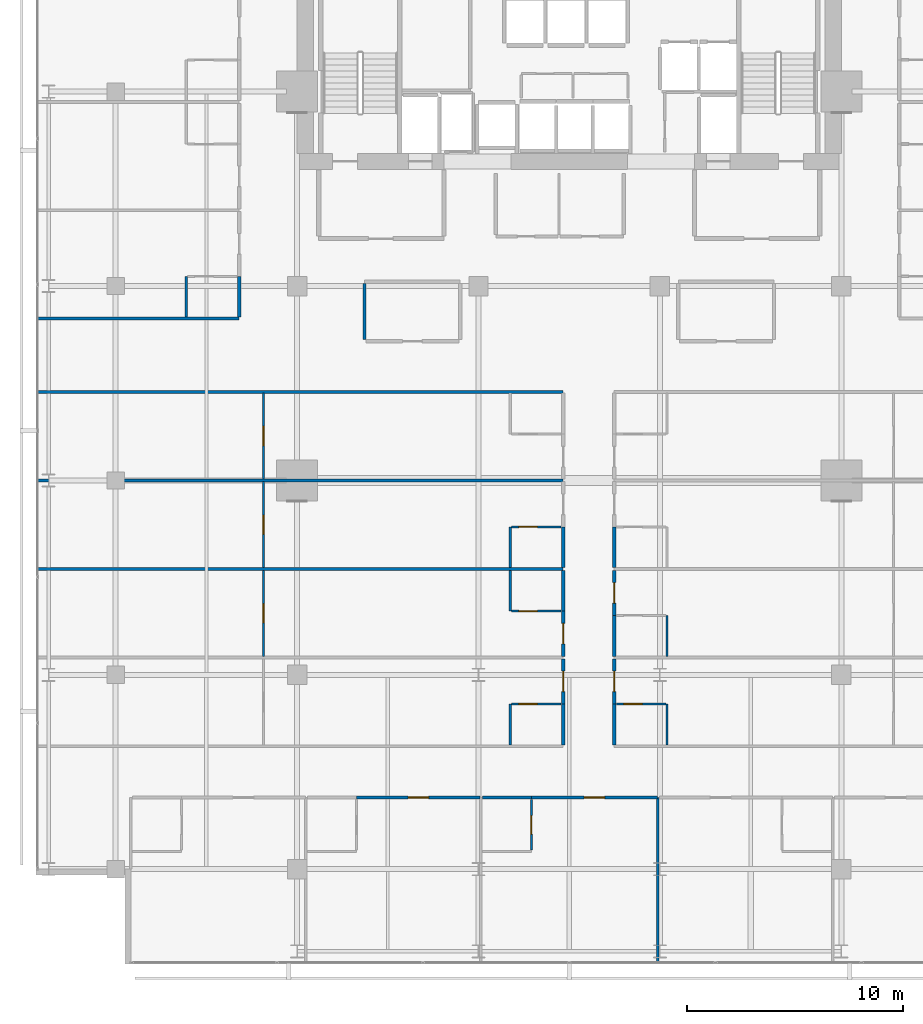
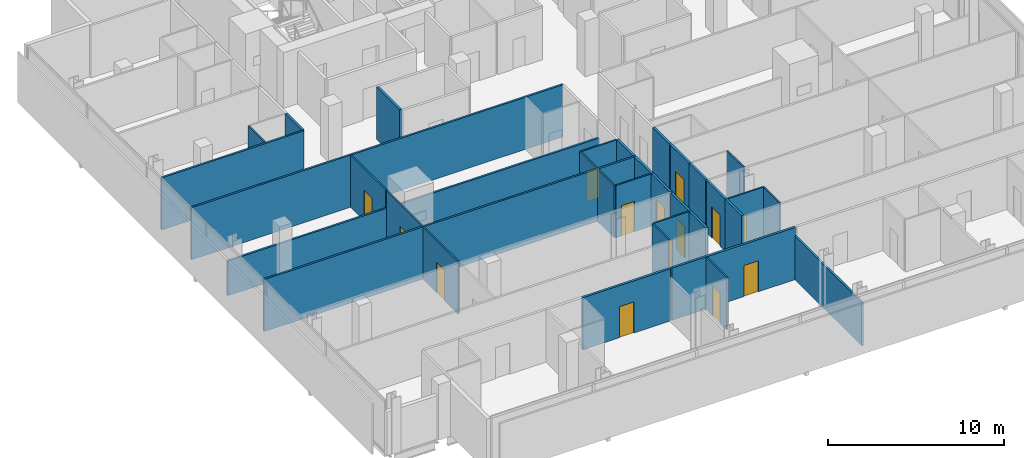
# One storey, part 27 of 34: 34 walls, 14 doors, 14 openings.
"""IFC4 building model written with IfcOpenShell, lengths in metres."""

from ifc_helpers import new_model, si_unit, direction, frame, frame_2d, origin, place, context, subcontext, project, spatial, rectangle, extrude, material, layer, layer_set, type_object, element, fill, save


model = new_model("IFC4")

# Units and contexts
model_context = context("Model", 3, precision=1e-05, world=origin(), true_north=direction((0.0, 1.0)))
body_context = subcontext(model_context, "Body", "Model", "MODEL_VIEW")
ifc_project = project(units=[si_unit("LENGTHUNIT", "METRE"), si_unit("AREAUNIT", "SQUARE_METRE"), si_unit("VOLUMEUNIT", "CUBIC_METRE"), si_unit("PLANEANGLEUNIT", "RADIAN"), si_unit("MASSUNIT", "GRAM", prefix="KILO")], contexts=[model_context])

# Site, building, storey
site_placement = place(None, origin())
site = spatial("IfcSite", under=ifc_project, at=site_placement, CompositionType="ELEMENT")
building_placement = place(site_placement, origin())
building = spatial("IfcBuilding", under=site, at=building_placement, Name="Maruvema Waterfront Hotel and Observation Tower", CompositionType="ELEMENT")
storey_placement = place(building_placement, frame((0.0, 0.0, 181.300048828125)))
storey = spatial("IfcBuildingStorey", under=building, at=storey_placement, Name="L44", CompositionType="ELEMENT", Elevation=181.300048828125)

# Wall
ifc_material_1 = material(Name="Twin-stud acoustic gypsum drywall", Category="gypsum")
ifc_layer_1 = layer(ifc_material_1, 0.14990234375, Name="Acoustic Corridor and Suite Demising Wall 150 mm")
ifc_layer_set_1 = layer_set([ifc_layer_1], Name="Twin-stud acoustic gypsum drywall")
wall_type_1 = type_object("IfcWallType", Name="Acoustic Corridor and Suite Demising Wall 150 mm", PredefinedType="PARTITIONING", material=ifc_layer_set_1)
wall_1_placement = place(storey_placement, frame((28.320068359375, 33.530029296875, 0.0), z_axis=(0.0, 0.0, 1.0), x_axis=(0.0, 1.0, 0.0)))
element("IfcWall", 1, at=wall_1_placement, inside=storey, type_object=wall_type_1, Name="L44 L44-M1 West Wall 028", PredefinedType="PARTITIONING", context=body_context, shape_type="SweptSolid", body=[
    extrude(rectangle(XDim=2.590087890625, YDim=0.14990234375, at=frame_2d((1.294921875, 0.0))), origin(), (0.0, 0.0, 1.0), 3.60986328125),
])

# Wall, opening, door
wall_2_placement = place(storey_placement, frame((27.949951171875, 12.320068359375, 0.0), z_axis=(0.0, 0.0, 1.0), x_axis=(1.0, 0.0, 0.0)))
wall_2 = element("IfcWall", 2, at=wall_2_placement, inside=storey, type_object=wall_type_1, Name="L44 Unit L44-S2 Corridor Wall 045", PredefinedType="PARTITIONING", context=body_context, shape_type="SweptSolid", body=[
    extrude(rectangle(XDim=5.72998046875, YDim=0.14990234375, at=frame_2d((2.864990234375, 0.0))), origin(), (0.0, 0.0, 1.0), 3.60986328125),
])
opening_1_placement = place(wall_2_placement, frame((2.389892578125, 0.0, 0.0)))
opening_1 = element("IfcOpeningElement", 3, at=opening_1_placement, cuts=wall_2, Name="Opening DR-095", PredefinedType="OPENING", context=body_context, shape_type="SweptSolid", body=[
    extrude(rectangle(XDim=0.949951171875, YDim=2.14990234375, at=frame_2d((0.47509765625, 1.074951171875))), frame((0.0, 0.0849609375, 0.0), z_axis=(0.0, -1.0, 0.0), x_axis=(1.0, 0.0, 0.0)), (0.0, 0.0, 1.0), 0.169921875),
])
ifc_material_2 = material(Name="Acoustic solid-core hardwood timber leaf", Category="wood")
door_type_1 = type_object("IfcDoorType", Name="Guestroom Entrance Fire Door 950x2150 mm", OperationType="NOTDEFINED", PredefinedType="DOOR", material=ifc_material_2)
door_1_placement = place(opening_1_placement, frame((0.949951171875, 0.0, 0.0), z_axis=(0.0, 0.0, 1.0), x_axis=(-1.0, 0.0, 0.0)))
door_1 = element("IfcDoor", 4, at=door_1_placement, inside=storey, type_object=door_type_1, Name="L44 Unit L44-S2 Entrance Door", OperationType="SINGLE_SWING_LEFT", OverallHeight=2.14990234375, OverallWidth=0.949951171875, PredefinedType="DOOR", context=body_context, shape_type="SweptSolid", body=[
    extrude(rectangle(XDim=0.949951171875, YDim=2.14990234375, at=frame_2d((0.47509765625, 1.074951171875))), frame((0.0, 0.02490234375, 0.0), z_axis=(0.0, -1.0, 0.0), x_axis=(1.0, 0.0, 0.0)), (0.0, 0.0, 1.0), 0.050048828125),
])
fill(opening_1, door_1)

# Wall
wall_3_placement = place(storey_placement, frame((33.780029296875, 12.320068359375, 0.0), z_axis=(0.0, 0.0, 1.0), x_axis=(1.0, 0.0, 0.0)))
element("IfcWall", 5, at=wall_3_placement, inside=storey, type_object=wall_type_1, Name="L44 Bath L44-S3 Back Wall 047", PredefinedType="PARTITIONING", context=body_context, shape_type="SweptSolid", body=[
    extrude(rectangle(XDim=2.27001953125, YDim=0.14990234375, at=frame_2d((1.135009765625, 0.0))), origin(), (0.0, 0.0, 1.0), 3.60986328125),
])

# Wall, opening, door
wall_4_placement = place(storey_placement, frame((36.050048828125, 12.320068359375, 0.0), z_axis=(0.0, 0.0, 1.0), x_axis=(1.0, 0.0, 0.0)))
wall_4 = element("IfcWall", 6, at=wall_4_placement, inside=storey, type_object=wall_type_1, Name="L44 Unit L44-S3 Corridor Wall 050", PredefinedType="PARTITIONING", context=body_context, shape_type="SweptSolid", body=[
    extrude(rectangle(XDim=5.829833984375, YDim=0.14990234375, at=frame_2d((2.9150390625, 0.0))), origin(), (0.0, 0.0, 1.0), 3.60986328125),
])
opening_2_placement = place(wall_4_placement, frame((2.43994140625, 0.0, 0.0)))
opening_2 = element("IfcOpeningElement", 7, at=opening_2_placement, cuts=wall_4, Name="Opening DR-095", PredefinedType="OPENING", context=body_context, shape_type="SweptSolid", body=[
    extrude(rectangle(XDim=0.949951171875, YDim=2.14990234375, at=frame_2d((0.47509765625, 1.074951171875))), frame((0.0, 0.0849609375, 0.0), z_axis=(0.0, -1.0, 0.0), x_axis=(1.0, 0.0, 0.0)), (0.0, 0.0, 1.0), 0.169921875),
])
door_2_placement = place(opening_2_placement, frame((0.949951171875, 0.0, 0.0), z_axis=(0.0, 0.0, 1.0), x_axis=(-1.0, 0.0, 0.0)))
door_2 = element("IfcDoor", 8, at=door_2_placement, inside=storey, type_object=door_type_1, Name="L44 Unit L44-S3 Entrance Door", OperationType="SINGLE_SWING_LEFT", OverallHeight=2.14990234375, OverallWidth=0.949951171875, PredefinedType="DOOR", context=body_context, shape_type="SweptSolid", body=[
    extrude(rectangle(XDim=0.949951171875, YDim=2.14990234375, at=frame_2d((0.47509765625, 1.074951171875))), frame((0.0, 0.02490234375, 0.0), z_axis=(0.0, -1.0, 0.0), x_axis=(1.0, 0.0, 0.0)), (0.0, 0.0, 1.0), 0.050048828125),
])
fill(opening_2, door_2)

# Wall
wall_5_placement = place(storey_placement, frame((37.52001953125, 14.760009765625, 0.0), z_axis=(0.0, 0.0, 1.0), x_axis=(0.0, 1.0, 0.0)))
element("IfcWall", 9, at=wall_5_placement, inside=storey, type_object=wall_type_1, Name="L44 Bath L44-W1 Wall 065", PredefinedType="PARTITIONING", context=body_context, shape_type="SweptSolid", body=[
    extrude(rectangle(XDim=1.889892578125, YDim=0.14990234375, at=frame_2d((0.94482421875, 0.0))), origin(), (0.0, 0.0, 1.0), 3.60986328125),
])

# Wall, opening, door
wall_6_placement = place(storey_placement, frame((37.52001953125, 16.64990234375, 0.0), z_axis=(0.0, 0.0, 1.0), x_axis=(0.0, 1.0, 0.0)))
wall_6 = element("IfcWall", 10, at=wall_6_placement, inside=storey, type_object=wall_type_1, Name="L44 Room L44-W1 Corridor Wall 066", PredefinedType="PARTITIONING", context=body_context, shape_type="SweptSolid", body=[
    extrude(rectangle(XDim=2.090087890625, YDim=0.14990234375, at=frame_2d((1.044921875, 0.0))), origin(), (0.0, 0.0, 1.0), 3.60986328125),
])
opening_3_placement = place(wall_6_placement, frame((0.570068359375, 0.0, 0.0)))
opening_3 = element("IfcOpeningElement", 11, at=opening_3_placement, cuts=wall_6, Name="Opening DR-095", PredefinedType="OPENING", context=body_context, shape_type="SweptSolid", body=[
    extrude(rectangle(XDim=0.949951171875, YDim=2.14990234375, at=frame_2d((0.47509765625, 1.074951171875))), frame((0.0, 0.0849609375, 0.0), z_axis=(0.0, -1.0, 0.0), x_axis=(1.0, 0.0, 0.0)), (0.0, 0.0, 1.0), 0.169921875),
])
door_3_placement = place(opening_3_placement, origin())
door_3 = element("IfcDoor", 12, at=door_3_placement, inside=storey, type_object=door_type_1, Name="L44 Room L44-W1 Entrance Door", OperationType="SINGLE_SWING_LEFT", OverallHeight=2.14990234375, OverallWidth=0.949951171875, PredefinedType="DOOR", context=body_context, shape_type="SweptSolid", body=[
    extrude(rectangle(XDim=0.949951171875, YDim=2.14990234375, at=frame_2d((0.47509765625, 1.074951171875))), frame((0.0, 0.02490234375, 0.0), z_axis=(0.0, -1.0, 0.0), x_axis=(1.0, 0.0, 0.0)), (0.0, 0.0, 1.0), 0.050048828125),
])
fill(opening_3, door_3)

# Wall
wall_7_placement = place(storey_placement, frame((39.8798828125, 14.760009765625, 0.0), z_axis=(0.0, 0.0, 1.0), x_axis=(0.0, 1.0, 0.0)))
element("IfcWall", 13, at=wall_7_placement, inside=storey, type_object=wall_type_1, Name="L44 Bath L44-E1 Wall 070", PredefinedType="PARTITIONING", context=body_context, shape_type="SweptSolid", body=[
    extrude(rectangle(XDim=1.889892578125, YDim=0.14990234375, at=frame_2d((0.94482421875, 0.0))), origin(), (0.0, 0.0, 1.0), 3.60986328125),
])

# Wall, opening, door
wall_8_placement = place(storey_placement, frame((39.8798828125, 16.64990234375, 0.0), z_axis=(0.0, 0.0, 1.0), x_axis=(0.0, 1.0, 0.0)))
wall_8 = element("IfcWall", 14, at=wall_8_placement, inside=storey, type_object=wall_type_1, Name="L44 Room L44-E1 Corridor Wall 071", PredefinedType="PARTITIONING", context=body_context, shape_type="SweptSolid", body=[
    extrude(rectangle(XDim=2.090087890625, YDim=0.14990234375, at=frame_2d((1.044921875, 0.0))), origin(), (0.0, 0.0, 1.0), 3.60986328125),
])
opening_4_placement = place(wall_8_placement, frame((0.570068359375, 0.0, 0.0)))
opening_4 = element("IfcOpeningElement", 15, at=opening_4_placement, cuts=wall_8, Name="Opening DR-095", PredefinedType="OPENING", context=body_context, shape_type="SweptSolid", body=[
    extrude(rectangle(XDim=0.949951171875, YDim=2.14990234375, at=frame_2d((0.47509765625, 1.074951171875))), frame((0.0, 0.0849609375, 0.0), z_axis=(0.0, -1.0, 0.0), x_axis=(1.0, 0.0, 0.0)), (0.0, 0.0, 1.0), 0.169921875),
])
door_4_placement = place(opening_4_placement, frame((0.949951171875, 0.0, 0.0), z_axis=(0.0, 0.0, 1.0), x_axis=(-1.0, 0.0, 0.0)))
door_4 = element("IfcDoor", 16, at=door_4_placement, inside=storey, type_object=door_type_1, Name="L44 Room L44-E1 Entrance Door", OperationType="SINGLE_SWING_RIGHT", OverallHeight=2.14990234375, OverallWidth=0.949951171875, PredefinedType="DOOR", context=body_context, shape_type="SweptSolid", body=[
    extrude(rectangle(XDim=0.949951171875, YDim=2.14990234375, at=frame_2d((0.47509765625, 1.074951171875))), frame((0.0, 0.02490234375, 0.0), z_axis=(0.0, -1.0, 0.0), x_axis=(1.0, 0.0, 0.0)), (0.0, 0.0, 1.0), 0.050048828125),
])
fill(opening_4, door_4)

wall_9_placement = place(storey_placement, frame((37.52001953125, 18.860107421875, 0.0), z_axis=(0.0, 0.0, 1.0), x_axis=(0.0, 1.0, 0.0)))
wall_9 = element("IfcWall", 17, at=wall_9_placement, inside=storey, type_object=wall_type_1, Name="L44 Room L44-W2 Corridor Wall 077", PredefinedType="PARTITIONING", context=body_context, shape_type="SweptSolid", body=[
    extrude(rectangle(XDim=2.08984375, YDim=0.14990234375, at=frame_2d((1.044921875, 0.0))), origin(), (0.0, 0.0, 1.0), 3.60986328125),
])
opening_5_placement = place(wall_9_placement, frame((0.570068359375, 0.0, 0.0)))
opening_5 = element("IfcOpeningElement", 18, at=opening_5_placement, cuts=wall_9, Name="Opening DR-095", PredefinedType="OPENING", context=body_context, shape_type="SweptSolid", body=[
    extrude(rectangle(XDim=0.949951171875, YDim=2.14990234375, at=frame_2d((0.47509765625, 1.074951171875))), frame((0.0, 0.0849609375, 0.0), z_axis=(0.0, -1.0, 0.0), x_axis=(1.0, 0.0, 0.0)), (0.0, 0.0, 1.0), 0.169921875),
])
door_5_placement = place(opening_5_placement, origin())
door_5 = element("IfcDoor", 19, at=door_5_placement, inside=storey, type_object=door_type_1, Name="L44 Room L44-W2 Entrance Door", OperationType="SINGLE_SWING_LEFT", OverallHeight=2.14990234375, OverallWidth=0.949951171875, PredefinedType="DOOR", context=body_context, shape_type="SweptSolid", body=[
    extrude(rectangle(XDim=0.949951171875, YDim=2.14990234375, at=frame_2d((0.47509765625, 1.074951171875))), frame((0.0, 0.02490234375, 0.0), z_axis=(0.0, -1.0, 0.0), x_axis=(1.0, 0.0, 0.0)), (0.0, 0.0, 1.0), 0.050048828125),
])
fill(opening_5, door_5)

# Walls
wall_10_placement = place(storey_placement, frame((37.52001953125, 20.949951171875, 0.0), z_axis=(0.0, 0.0, 1.0), x_axis=(0.0, 1.0, 0.0)))
element("IfcWall", 20, at=wall_10_placement, inside=storey, type_object=wall_type_1, Name="L44 Bath L44-W2 Wall 078", PredefinedType="PARTITIONING", context=body_context, shape_type="SweptSolid", body=[
    extrude(rectangle(XDim=1.89013671875, YDim=0.14990234375, at=frame_2d((0.945068359375, 0.0))), origin(), (0.0, 0.0, 1.0), 3.60986328125),
])
wall_11_placement = place(storey_placement, frame((39.8798828125, 18.860107421875, 0.0), z_axis=(0.0, 0.0, 1.0), x_axis=(0.0, 1.0, 0.0)))
element("IfcWall", 21, at=wall_11_placement, inside=storey, type_object=wall_type_1, Name="L44 Bath L44-E2 Wall 082", PredefinedType="PARTITIONING", context=body_context, shape_type="SweptSolid", body=[
    extrude(rectangle(XDim=1.889892578125, YDim=0.14990234375, at=frame_2d((0.94482421875, 0.0))), origin(), (0.0, 0.0, 1.0), 3.60986328125),
])

# Wall, opening, door
wall_12_placement = place(storey_placement, frame((39.8798828125, 20.75, 0.0), z_axis=(0.0, 0.0, 1.0), x_axis=(0.0, 1.0, 0.0)))
wall_12 = element("IfcWall", 22, at=wall_12_placement, inside=storey, type_object=wall_type_1, Name="L44 Room L44-E2 Corridor Wall 083", PredefinedType="PARTITIONING", context=body_context, shape_type="SweptSolid", body=[
    extrude(rectangle(XDim=2.090087890625, YDim=0.14990234375, at=frame_2d((1.044921875, 0.0))), origin(), (0.0, 0.0, 1.0), 3.60986328125),
])
opening_6_placement = place(wall_12_placement, frame((0.570068359375, 0.0, 0.0)))
opening_6 = element("IfcOpeningElement", 23, at=opening_6_placement, cuts=wall_12, Name="Opening DR-095", PredefinedType="OPENING", context=body_context, shape_type="SweptSolid", body=[
    extrude(rectangle(XDim=0.949951171875, YDim=2.14990234375, at=frame_2d((0.47509765625, 1.074951171875))), frame((0.0, 0.0849609375, 0.0), z_axis=(0.0, -1.0, 0.0), x_axis=(1.0, 0.0, 0.0)), (0.0, 0.0, 1.0), 0.169921875),
])
door_6_placement = place(opening_6_placement, frame((0.949951171875, 0.0, 0.0), z_axis=(0.0, 0.0, 1.0), x_axis=(-1.0, 0.0, 0.0)))
door_6 = element("IfcDoor", 24, at=door_6_placement, inside=storey, type_object=door_type_1, Name="L44 Room L44-E2 Entrance Door", OperationType="SINGLE_SWING_RIGHT", OverallHeight=2.14990234375, OverallWidth=0.949951171875, PredefinedType="DOOR", context=body_context, shape_type="SweptSolid", body=[
    extrude(rectangle(XDim=0.949951171875, YDim=2.14990234375, at=frame_2d((0.47509765625, 1.074951171875))), frame((0.0, 0.02490234375, 0.0), z_axis=(0.0, -1.0, 0.0), x_axis=(1.0, 0.0, 0.0)), (0.0, 0.0, 1.0), 0.050048828125),
])
fill(opening_6, door_6)

# Walls
for number, where, z_axis, x_axis, name in (
    (25, (37.52001953125, 22.9599609375, 0.0), (0.0, 0.0, 1.0), (0.0, 1.0, 0.0), "L44 Bath L44-W3 Wall 089"),
    (26, (39.8798828125, 22.9599609375, 0.0), (0.0, 0.0, 1.0), (0.0, 1.0, 0.0), "L44 Bath L44-E3 Wall 094"),
):
    element("IfcWall", number, at=place(storey_placement, frame(where, z_axis=z_axis, x_axis=x_axis)), inside=storey, type_object=wall_type_1, Name=name, PredefinedType="PARTITIONING", context=body_context, shape_type="SweptSolid", body=[
        extrude(rectangle(XDim=1.89013671875, YDim=0.14990234375, at=frame_2d((0.945068359375, 0.0))), origin(), (0.0, 0.0, 1.0), 3.60986328125),
    ])
wall_13_placement = place(storey_placement, frame((22.52001953125, 34.56005859375, 0.0), z_axis=(0.0, 0.0, 1.0), x_axis=(0.0, 1.0, 0.0)))
element("IfcWall", 27, at=wall_13_placement, inside=storey, type_object=wall_type_1, Name="L44 Bath L44-NW1 Wall 115", PredefinedType="PARTITIONING", context=body_context, shape_type="SweptSolid", body=[
    extrude(rectangle(XDim=1.889892578125, YDim=0.14990234375, at=frame_2d((0.94482421875, 0.0))), origin(), (0.0, 0.0, 1.0), 3.60986328125),
])

# Wall, opening, door
ifc_material_3 = material(Name="Moisture-resistant cement-board drywall", Category="gypsum")
ifc_layer_2 = layer(ifc_material_3, 0.10009765625, Name="En-Suite Moisture-Resistant Partition 100 mm")
ifc_layer_set_2 = layer_set([ifc_layer_2], Name="Moisture-resistant cement-board drywall")
wall_type_2 = type_object("IfcWallType", Name="En-Suite Moisture-Resistant Partition 100 mm", PredefinedType="PARTITIONING", material=ifc_layer_set_2)
wall_14_placement = place(storey_placement, frame((36.050048828125, 9.8798828125, 0.0), z_axis=(0.0, 0.0, 1.0), x_axis=(0.0, 1.0, 0.0)))
wall_14 = element("IfcWall", 28, at=wall_14_placement, inside=storey, type_object=wall_type_2, Name="L44 En-Suite L44-S3 East 049", PredefinedType="PARTITIONING", context=body_context, shape_type="SweptSolid", body=[
    extrude(rectangle(XDim=2.340087890625, YDim=0.10009765625, at=frame_2d((1.169921875, 0.0))), origin(), (0.0, 0.0, 1.0), 3.60986328125),
])
opening_7_placement = place(wall_14_placement, frame((0.7451171875, 0.0, 0.0)))
opening_7 = element("IfcOpeningElement", 29, at=opening_7_placement, cuts=wall_14, Name="Opening DR-085", PredefinedType="OPENING", context=body_context, shape_type="SweptSolid", body=[
    extrude(rectangle(XDim=0.85009765625, YDim=2.10009765625, at=frame_2d((0.425048828125, 1.050048828125))), frame((0.0, 0.06005859375, 0.0), z_axis=(0.0, -1.0, 0.0), x_axis=(1.0, 0.0, 0.0)), (0.0, 0.0, 1.0), 0.1201171875),
])
ifc_material_4 = material(Name="Moisture-resistant solid timber leaf", Category="wood")
door_type_2 = type_object("IfcDoorType", Name="En-Suite Bathroom Door 850x2100 mm", OperationType="NOTDEFINED", PredefinedType="DOOR", material=ifc_material_4)
door_7_placement = place(opening_7_placement, frame((0.85009765625, 0.0, 0.0), z_axis=(0.0, 0.0, 1.0), x_axis=(-1.0, 0.0, 0.0)))
door_7 = element("IfcDoor", 30, at=door_7_placement, inside=storey, type_object=door_type_2, Name="L44 En-Suite L44-S3 Door", OperationType="SINGLE_SWING_RIGHT", OverallHeight=2.10009765625, OverallWidth=0.85009765625, PredefinedType="DOOR", context=body_context, shape_type="SweptSolid", body=[
    extrude(rectangle(XDim=0.85009765625, YDim=2.10009765625, at=frame_2d((0.425048828125, 1.050048828125))), frame((0.0, 0.02490234375, 0.0), z_axis=(0.0, -1.0, 0.0), x_axis=(1.0, 0.0, 0.0)), (0.0, 0.0, 1.0), 0.050048828125),
])
fill(opening_7, door_7)

# Wall
wall_15_placement = place(storey_placement, frame((35.070068359375, 14.760009765625, 0.0), z_axis=(0.0, 0.0, 1.0), x_axis=(0.0, 1.0, 0.0)))
element("IfcWall", 31, at=wall_15_placement, inside=storey, type_object=wall_type_2, Name="L44 En-Suite L44-W1 W 067", PredefinedType="PARTITIONING", context=body_context, shape_type="SweptSolid", body=[
    extrude(rectangle(XDim=1.889892578125, YDim=0.10009765625, at=frame_2d((0.94482421875, 0.0))), origin(), (0.0, 0.0, 1.0), 3.60986328125),
])

# Wall, opening, door
wall_16_placement = place(storey_placement, frame((35.1201171875, 16.64990234375, 0.0), z_axis=(0.0, 0.0, 1.0), x_axis=(1.0, 0.0, 0.0)))
wall_16 = element("IfcWall", 32, at=wall_16_placement, inside=storey, type_object=wall_type_2, Name="L44 En-Suite L44-W1 N 068", PredefinedType="PARTITIONING", context=body_context, shape_type="SweptSolid", body=[
    extrude(rectangle(XDim=2.2998046875, YDim=0.10009765625, at=frame_2d((1.14990234375, 0.0))), origin(), (0.0, 0.0, 1.0), 3.60986328125),
])
opening_8_placement = place(wall_16_placement, frame((0.35009765625, 0.0, 0.0)))
opening_8 = element("IfcOpeningElement", 33, at=opening_8_placement, cuts=wall_16, Name="Opening DR-085", PredefinedType="OPENING", context=body_context, shape_type="SweptSolid", body=[
    extrude(rectangle(XDim=0.85009765625, YDim=2.10009765625, at=frame_2d((0.425048828125, 1.050048828125))), frame((0.0, 0.06005859375, 0.0), z_axis=(0.0, -1.0, 0.0), x_axis=(1.0, 0.0, 0.0)), (0.0, 0.0, 1.0), 0.1201171875),
])
door_8_placement = place(opening_8_placement, origin())
door_8 = element("IfcDoor", 34, at=door_8_placement, inside=storey, type_object=door_type_2, Name="L44 En-Suite L44-W1 Door", OperationType="SINGLE_SWING_RIGHT", OverallHeight=2.10009765625, OverallWidth=0.85009765625, PredefinedType="DOOR", context=body_context, shape_type="SweptSolid", body=[
    extrude(rectangle(XDim=0.85009765625, YDim=2.10009765625, at=frame_2d((0.425048828125, 1.050048828125))), frame((0.0, 0.02490234375, 0.0), z_axis=(0.0, -1.0, 0.0), x_axis=(1.0, 0.0, 0.0)), (0.0, 0.0, 1.0), 0.050048828125),
])
fill(opening_8, door_8)

# Wall
wall_17_placement = place(storey_placement, frame((42.330078125, 14.760009765625, 0.0), z_axis=(0.0, 0.0, 1.0), x_axis=(0.0, 1.0, 0.0)))
element("IfcWall", 35, at=wall_17_placement, inside=storey, type_object=wall_type_2, Name="L44 En-Suite L44-E1 E 072", PredefinedType="PARTITIONING", context=body_context, shape_type="SweptSolid", body=[
    extrude(rectangle(XDim=1.889892578125, YDim=0.10009765625, at=frame_2d((0.94482421875, 0.0))), origin(), (0.0, 0.0, 1.0), 3.60986328125),
])

# Wall, opening, door
wall_18_placement = place(storey_placement, frame((39.97998046875, 16.64990234375, 0.0), z_axis=(0.0, 0.0, 1.0), x_axis=(1.0, 0.0, 0.0)))
wall_18 = element("IfcWall", 36, at=wall_18_placement, inside=storey, type_object=wall_type_2, Name="L44 En-Suite L44-E1 N 073", PredefinedType="PARTITIONING", context=body_context, shape_type="SweptSolid", body=[
    extrude(rectangle(XDim=2.300048828125, YDim=0.10009765625, at=frame_2d((1.14990234375, 0.0))), origin(), (0.0, 0.0, 1.0), 3.60986328125),
])
opening_9_placement = place(wall_18_placement, frame((0.35009765625, 0.0, 0.0)))
opening_9 = element("IfcOpeningElement", 37, at=opening_9_placement, cuts=wall_18, Name="Opening DR-085", PredefinedType="OPENING", context=body_context, shape_type="SweptSolid", body=[
    extrude(rectangle(XDim=0.85009765625, YDim=2.10009765625, at=frame_2d((0.425048828125, 1.050048828125))), frame((0.0, 0.06005859375, 0.0), z_axis=(0.0, -1.0, 0.0), x_axis=(1.0, 0.0, 0.0)), (0.0, 0.0, 1.0), 0.1201171875),
])
door_9_placement = place(opening_9_placement, origin())
door_9 = element("IfcDoor", 38, at=door_9_placement, inside=storey, type_object=door_type_2, Name="L44 En-Suite L44-E1 Door", OperationType="SINGLE_SWING_LEFT", OverallHeight=2.10009765625, OverallWidth=0.85009765625, PredefinedType="DOOR", context=body_context, shape_type="SweptSolid", body=[
    extrude(rectangle(XDim=0.85009765625, YDim=2.10009765625, at=frame_2d((0.425048828125, 1.050048828125))), frame((0.0, 0.02490234375, 0.0), z_axis=(0.0, -1.0, 0.0), x_axis=(1.0, 0.0, 0.0)), (0.0, 0.0, 1.0), 0.050048828125),
])
fill(opening_9, door_9)

# Wall
wall_19_placement = place(storey_placement, frame((35.070068359375, 20.949951171875, 0.0), z_axis=(0.0, 0.0, 1.0), x_axis=(0.0, 1.0, 0.0)))
element("IfcWall", 39, at=wall_19_placement, inside=storey, type_object=wall_type_2, Name="L44 En-Suite L44-W2 W 079", PredefinedType="PARTITIONING", context=body_context, shape_type="SweptSolid", body=[
    extrude(rectangle(XDim=1.89013671875, YDim=0.10009765625, at=frame_2d((0.945068359375, 0.0))), origin(), (0.0, 0.0, 1.0), 3.60986328125),
])

# Wall, opening, door
wall_20_placement = place(storey_placement, frame((35.1201171875, 20.949951171875, 0.0), z_axis=(0.0, 0.0, 1.0), x_axis=(1.0, 0.0, 0.0)))
wall_20 = element("IfcWall", 40, at=wall_20_placement, inside=storey, type_object=wall_type_2, Name="L44 En-Suite L44-W2 S 080", PredefinedType="PARTITIONING", context=body_context, shape_type="SweptSolid", body=[
    extrude(rectangle(XDim=2.2998046875, YDim=0.10009765625, at=frame_2d((1.14990234375, 0.0))), origin(), (0.0, 0.0, 1.0), 3.60986328125),
])
opening_10_placement = place(wall_20_placement, frame((0.35009765625, 0.0, 0.0)))
opening_10 = element("IfcOpeningElement", 41, at=opening_10_placement, cuts=wall_20, Name="Opening DR-085", PredefinedType="OPENING", context=body_context, shape_type="SweptSolid", body=[
    extrude(rectangle(XDim=0.85009765625, YDim=2.10009765625, at=frame_2d((0.425048828125, 1.050048828125))), frame((0.0, 0.06005859375, 0.0), z_axis=(0.0, -1.0, 0.0), x_axis=(1.0, 0.0, 0.0)), (0.0, 0.0, 1.0), 0.1201171875),
])
door_10_placement = place(opening_10_placement, frame((0.85009765625, 0.0, 0.0), z_axis=(0.0, 0.0, 1.0), x_axis=(-1.0, 0.0, 0.0)))
door_10 = element("IfcDoor", 42, at=door_10_placement, inside=storey, type_object=door_type_2, Name="L44 En-Suite L44-W2 Door", OperationType="SINGLE_SWING_RIGHT", OverallHeight=2.10009765625, OverallWidth=0.85009765625, PredefinedType="DOOR", context=body_context, shape_type="SweptSolid", body=[
    extrude(rectangle(XDim=0.85009765625, YDim=2.10009765625, at=frame_2d((0.425048828125, 1.050048828125))), frame((0.0, 0.02490234375, 0.0), z_axis=(0.0, -1.0, 0.0), x_axis=(1.0, 0.0, 0.0)), (0.0, 0.0, 1.0), 0.050048828125),
])
fill(opening_10, door_10)

wall_21_placement = place(storey_placement, frame((23.6455078125, 18.860107421875, 0.0), z_axis=(0.0, 0.0, 1.0), x_axis=(0.0, 1.0, 0.0)))
wall_21 = element("IfcWall", 43, at=wall_21_placement, inside=storey, type_object=wall_type_2, Name="L44 Suite L44-W2 Split 081", PredefinedType="PARTITIONING", context=body_context, shape_type="SweptSolid", body=[
    extrude(rectangle(XDim=3.97998046875, YDim=0.10009765625, at=frame_2d((1.989990234375, 0.0))), origin(), (0.0, 0.0, 1.0), 3.60986328125),
])
opening_11_placement = place(wall_21_placement, frame((1.5400390625, 0.0, 0.0)))
opening_11 = element("IfcOpeningElement", 44, at=opening_11_placement, cuts=wall_21, Name="Opening DR-090", PredefinedType="OPENING", context=body_context, shape_type="SweptSolid", body=[
    extrude(rectangle(XDim=0.89990234375, YDim=2.10009765625, at=frame_2d((0.449951171875, 1.050048828125))), frame((0.0, 0.06005859375, 0.0), z_axis=(0.0, -1.0, 0.0), x_axis=(1.0, 0.0, 0.0)), (0.0, 0.0, 1.0), 0.1201171875),
])
ifc_material_5 = material(Name="Solid-core lacquered timber leaf", Category="wood")
door_type_3 = type_object("IfcDoorType", Name="Accessible Toilet and Room Door 900x2100 mm", OperationType="NOTDEFINED", PredefinedType="DOOR", material=ifc_material_5)
door_11_placement = place(opening_11_placement, origin())
door_11 = element("IfcDoor", 45, at=door_11_placement, inside=storey, type_object=door_type_3, Name="L44 Suite L44-W2 Bedroom Door", OperationType="SINGLE_SWING_RIGHT", OverallHeight=2.10009765625, OverallWidth=0.89990234375, PredefinedType="DOOR", context=body_context, shape_type="SweptSolid", body=[
    extrude(rectangle(XDim=0.89990234375, YDim=2.10009765625, at=frame_2d((0.449951171875, 1.050048828125))), frame((0.0, 0.02490234375, 0.0), z_axis=(0.0, -1.0, 0.0), x_axis=(1.0, 0.0, 0.0)), (0.0, 0.0, 1.0), 0.050048828125),
])
fill(opening_11, door_11)

# Walls
wall_22_placement = place(storey_placement, frame((42.330078125, 18.860107421875, 0.0), z_axis=(0.0, 0.0, 1.0), x_axis=(0.0, 1.0, 0.0)))
element("IfcWall", 46, at=wall_22_placement, inside=storey, type_object=wall_type_2, Name="L44 En-Suite L44-E2 E 084", PredefinedType="PARTITIONING", context=body_context, shape_type="SweptSolid", body=[
    extrude(rectangle(XDim=1.889892578125, YDim=0.10009765625, at=frame_2d((0.94482421875, 0.0))), origin(), (0.0, 0.0, 1.0), 3.60986328125),
])
wall_23_placement = place(storey_placement, frame((35.070068359375, 22.9599609375, 0.0), z_axis=(0.0, 0.0, 1.0), x_axis=(0.0, 1.0, 0.0)))
element("IfcWall", 47, at=wall_23_placement, inside=storey, type_object=wall_type_2, Name="L44 En-Suite L44-W3 W 091", PredefinedType="PARTITIONING", context=body_context, shape_type="SweptSolid", body=[
    extrude(rectangle(XDim=1.89013671875, YDim=0.10009765625, at=frame_2d((0.945068359375, 0.0))), origin(), (0.0, 0.0, 1.0), 3.60986328125),
])

# Wall, opening, door
wall_24_placement = place(storey_placement, frame((35.1201171875, 24.85009765625, 0.0), z_axis=(0.0, 0.0, 1.0), x_axis=(1.0, 0.0, 0.0)))
wall_24 = element("IfcWall", 48, at=wall_24_placement, inside=storey, type_object=wall_type_2, Name="L44 En-Suite L44-W3 N 092", PredefinedType="PARTITIONING", context=body_context, shape_type="SweptSolid", body=[
    extrude(rectangle(XDim=2.2998046875, YDim=0.10009765625, at=frame_2d((1.14990234375, 0.0))), origin(), (0.0, 0.0, 1.0), 3.60986328125),
])
opening_12_placement = place(wall_24_placement, frame((0.35009765625, 0.0, 0.0)))
opening_12 = element("IfcOpeningElement", 49, at=opening_12_placement, cuts=wall_24, Name="Opening DR-085", PredefinedType="OPENING", context=body_context, shape_type="SweptSolid", body=[
    extrude(rectangle(XDim=0.85009765625, YDim=2.10009765625, at=frame_2d((0.425048828125, 1.050048828125))), frame((0.0, 0.06005859375, 0.0), z_axis=(0.0, -1.0, 0.0), x_axis=(1.0, 0.0, 0.0)), (0.0, 0.0, 1.0), 0.1201171875),
])
door_12_placement = place(opening_12_placement, origin())
door_12 = element("IfcDoor", 50, at=door_12_placement, inside=storey, type_object=door_type_2, Name="L44 En-Suite L44-W3 Door", OperationType="SINGLE_SWING_RIGHT", OverallHeight=2.10009765625, OverallWidth=0.85009765625, PredefinedType="DOOR", context=body_context, shape_type="SweptSolid", body=[
    extrude(rectangle(XDim=0.85009765625, YDim=2.10009765625, at=frame_2d((0.425048828125, 1.050048828125))), frame((0.0, 0.02490234375, 0.0), z_axis=(0.0, -1.0, 0.0), x_axis=(1.0, 0.0, 0.0)), (0.0, 0.0, 1.0), 0.050048828125),
])
fill(opening_12, door_12)

wall_25_placement = place(storey_placement, frame((23.6455078125, 22.9599609375, 0.0), z_axis=(0.0, 0.0, 1.0), x_axis=(0.0, 1.0, 0.0)))
wall_25 = element("IfcWall", 51, at=wall_25_placement, inside=storey, type_object=wall_type_2, Name="L44 Suite L44-W3 Split 093", PredefinedType="PARTITIONING", context=body_context, shape_type="SweptSolid", body=[
    extrude(rectangle(XDim=3.97998046875, YDim=0.10009765625, at=frame_2d((1.989990234375, 0.0))), origin(), (0.0, 0.0, 1.0), 3.60986328125),
])
opening_13_placement = place(wall_25_placement, frame((1.5400390625, 0.0, 0.0)))
opening_13 = element("IfcOpeningElement", 52, at=opening_13_placement, cuts=wall_25, Name="Opening DR-090", PredefinedType="OPENING", context=body_context, shape_type="SweptSolid", body=[
    extrude(rectangle(XDim=0.89990234375, YDim=2.10009765625, at=frame_2d((0.449951171875, 1.050048828125))), frame((0.0, 0.06005859375, 0.0), z_axis=(0.0, -1.0, 0.0), x_axis=(1.0, 0.0, 0.0)), (0.0, 0.0, 1.0), 0.1201171875),
])
door_13_placement = place(opening_13_placement, origin())
door_13 = element("IfcDoor", 53, at=door_13_placement, inside=storey, type_object=door_type_3, Name="L44 Suite L44-W3 Bedroom Door", OperationType="SINGLE_SWING_RIGHT", OverallHeight=2.10009765625, OverallWidth=0.89990234375, PredefinedType="DOOR", context=body_context, shape_type="SweptSolid", body=[
    extrude(rectangle(XDim=0.89990234375, YDim=2.10009765625, at=frame_2d((0.449951171875, 1.050048828125))), frame((0.0, 0.02490234375, 0.0), z_axis=(0.0, -1.0, 0.0), x_axis=(1.0, 0.0, 0.0)), (0.0, 0.0, 1.0), 0.050048828125),
])
fill(opening_13, door_13)

wall_26_placement = place(storey_placement, frame((23.6455078125, 27.06005859375, 0.0), z_axis=(0.0, 0.0, 1.0), x_axis=(0.0, 1.0, 0.0)))
wall_26 = element("IfcWall", 54, at=wall_26_placement, inside=storey, type_object=wall_type_2, Name="L44 Suite L44-W4 Split 105", PredefinedType="PARTITIONING", context=body_context, shape_type="SweptSolid", body=[
    extrude(rectangle(XDim=3.97998046875, YDim=0.10009765625, at=frame_2d((1.989990234375, 0.0))), origin(), (0.0, 0.0, 1.0), 3.60986328125),
])
opening_14_placement = place(wall_26_placement, frame((1.5400390625, 0.0, 0.0)))
opening_14 = element("IfcOpeningElement", 55, at=opening_14_placement, cuts=wall_26, Name="Opening DR-090", PredefinedType="OPENING", context=body_context, shape_type="SweptSolid", body=[
    extrude(rectangle(XDim=0.89990234375, YDim=2.10009765625, at=frame_2d((0.449951171875, 1.050048828125))), frame((0.0, 0.06005859375, 0.0), z_axis=(0.0, -1.0, 0.0), x_axis=(1.0, 0.0, 0.0)), (0.0, 0.0, 1.0), 0.1201171875),
])
door_14_placement = place(opening_14_placement, origin())
door_14 = element("IfcDoor", 56, at=door_14_placement, inside=storey, type_object=door_type_3, Name="L44 Suite L44-W4 Bedroom Door", OperationType="SINGLE_SWING_RIGHT", OverallHeight=2.10009765625, OverallWidth=0.89990234375, PredefinedType="DOOR", context=body_context, shape_type="SweptSolid", body=[
    extrude(rectangle(XDim=0.89990234375, YDim=2.10009765625, at=frame_2d((0.449951171875, 1.050048828125))), frame((0.0, 0.02490234375, 0.0), z_axis=(0.0, -1.0, 0.0), x_axis=(1.0, 0.0, 0.0)), (0.0, 0.0, 1.0), 0.050048828125),
])
fill(opening_14, door_14)

# Walls
wall_27_placement = place(storey_placement, frame((20.070068359375, 34.56005859375, 0.0), z_axis=(0.0, 0.0, 1.0), x_axis=(0.0, 1.0, 0.0)))
element("IfcWall", 57, at=wall_27_placement, inside=storey, type_object=wall_type_2, Name="L44 En-Suite L44-NW1 W 117", PredefinedType="PARTITIONING", context=body_context, shape_type="SweptSolid", body=[
    extrude(rectangle(XDim=1.889892578125, YDim=0.10009765625, at=frame_2d((0.94482421875, 0.0))), origin(), (0.0, 0.0, 1.0), 3.60986328125),
])
ifc_material_6 = material(Name="Acoustic gypsum plasterboard drywall", Category="gypsum")
ifc_layer_3 = layer(ifc_material_6, 0.125, Name="Guestroom Acoustic Demising Wall 125 mm")
ifc_layer_set_3 = layer_set([ifc_layer_3], Name="Acoustic gypsum plasterboard drywall")
wall_type_3 = type_object("IfcWallType", Name="Guestroom Acoustic Demising Wall 125 mm", PredefinedType="PARTITIONING", material=ifc_layer_set_3)
wall_28_placement = place(storey_placement, frame((41.89990234375, 4.699951171875, 0.0), z_axis=(0.0, 0.0, 1.0), x_axis=(0.0, 1.0, 0.0)))
element("IfcWall", 58, at=wall_28_placement, inside=storey, type_object=wall_type_3, Name="L44 Z2 S Demising 4 051", PredefinedType="PARTITIONING", context=body_context, shape_type="SweptSolid", body=[
    extrude(rectangle(XDim=7.6201171875, YDim=0.125, at=frame_2d((3.81005859375, 0.0))), origin(), (0.0, 0.0, 1.0), 3.0068359375),
])
for number, where, z_axis, x_axis, name in (
    (59, (13.199951171875, 31.10009765625, 0.0), (0.0, 0.0, 1.0), (1.0, 0.0, 0.0), "L44 Z2 W Top End 063"),
    (60, (13.199951171875, 22.89990234375, 0.0), (0.0, 0.0, 1.0), (1.0, 0.0, 0.0), "L44 Z2 W Demising 3 087"),
):
    element("IfcWall", number, at=place(storey_placement, frame(where, z_axis=z_axis, x_axis=x_axis)), inside=storey, type_object=wall_type_3, Name=name, PredefinedType="PARTITIONING", context=body_context, shape_type="SweptSolid", body=[
        extrude(rectangle(XDim=24.320068359375, YDim=0.125, at=frame_2d((12.16015625, 0.0))), origin(), (0.0, 0.0, 1.0), 3.60986328125),
    ])
wall_29_placement = place(storey_placement, frame((13.199951171875, 27.0, 0.0), z_axis=(0.0, 0.0, 1.0), x_axis=(1.0, 0.0, 0.0)))
element("IfcWall", 61, at=wall_29_placement, inside=storey, type_object=wall_type_3, Name="L44 Z2 W Demising 4 099", PredefinedType="PARTITIONING", context=body_context, shape_type="SweptSolid", body=[
    extrude(rectangle(XDim=24.320068359375, YDim=0.125, at=frame_2d((12.16015625, 0.0))), origin(), (0.0, 0.0, 1.0), 2.409912109375),
])
wall_30_placement = place(storey_placement, frame((13.199951171875, 34.5, 0.0), z_axis=(0.0, 0.0, 1.0), x_axis=(1.0, 0.0, 0.0)))
element("IfcWall", 62, at=wall_30_placement, inside=storey, type_object=wall_type_3, Name="L44 Z2 NW Bot End 111", PredefinedType="PARTITIONING", context=body_context, shape_type="SweptSolid", body=[
    extrude(rectangle(XDim=9.320068359375, YDim=0.125, at=frame_2d((4.66015625, 0.0))), origin(), (0.0, 0.0, 1.0), 3.60986328125),
])

save(model, "model.ifc")
